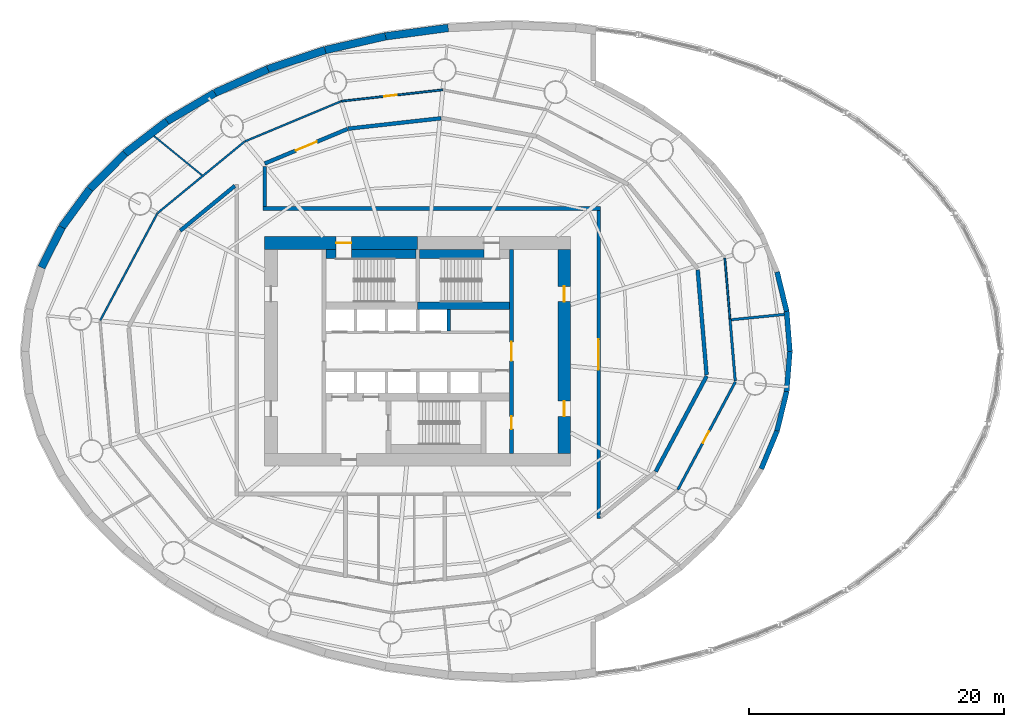
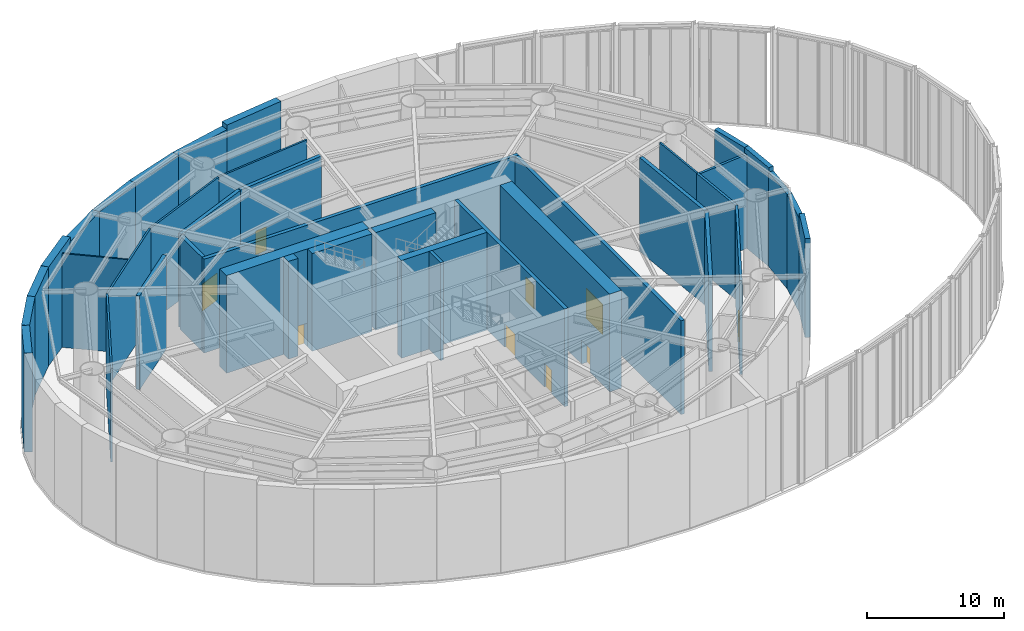
# One storey, part 16 of 19: 39 walls, 9 doors, 9 openings.
"""IFC4 building model written with IfcOpenShell, lengths in metres."""

from ifc_helpers import new_model, si_unit, direction, frame, frame_2d, origin, place, context, subcontext, project, spatial, rectangle, extrude, material, layer, layer_set, type_object, element, fill, save


model = new_model("IFC4")

# Units and contexts
model_context = context("Model", 3, precision=1e-05, world=origin(), true_north=direction((0.0, 1.0)))
body_context = subcontext(model_context, "Body", "Model", "MODEL_VIEW")
ifc_project = project(units=[si_unit("LENGTHUNIT", "METRE"), si_unit("AREAUNIT", "SQUARE_METRE"), si_unit("VOLUMEUNIT", "CUBIC_METRE"), si_unit("PLANEANGLEUNIT", "RADIAN"), si_unit("MASSUNIT", "GRAM", prefix="KILO")], contexts=[model_context])

# Site, building, storey
site_placement = place(None, origin())
site = spatial("IfcSite", under=ifc_project, at=site_placement, CompositionType="ELEMENT")
building_placement = place(site_placement, origin())
building = spatial("IfcBuilding", under=site, at=building_placement, Name="Vermilion Reach Broadcast Tower", CompositionType="ELEMENT")
storey_placement = place(building_placement, frame((0.0, 0.0, 8.0)))
storey = spatial("IfcBuildingStorey", under=building, at=storey_placement, Name="L01", CompositionType="ELEMENT", Elevation=8.0)

# Walls
ifc_material_1 = material(Name="Precast concrete C40/50 with acoustic cladding", Category="concrete")
ifc_layer_1 = layer(ifc_material_1, 0.39990234375)
ifc_layer_set_1 = layer_set([ifc_layer_1], Name="Atrium end wall 400")
wall_type_1 = type_object("IfcWallType", Name="Atrium end wall 400", PredefinedType="SOLIDWALL", material=ifc_layer_set_1)
wall_1_placement = place(storey_placement, frame((22.1982421875, 6.232421875, 0.0), z_axis=(0.0, 0.0, 1.0), x_axis=(0.235896812421, -0.97177810939, 0.0)))
element("IfcWall", 1, at=wall_1_placement, inside=storey, type_object=wall_type_1, Name="Podium wall L01 dru07", PredefinedType="SOLIDWALL", context=body_context, shape_type="SweptSolid", body=[
    extrude(rectangle(XDim=3.17822265625, YDim=0.39990234375, at=frame_2d((1.589111328125, 0.0))), origin(), (0.0, 0.0, 1.0), 8.800048828125),
])
wall_2_placement = place(storey_placement, frame((22.947998046875, 3.143798828125, 0.0), z_axis=(0.0, 0.0, 1.0), x_axis=(0.079732915346, -0.996816263015, 0.0)))
element("IfcWall", 2, at=wall_2_placement, inside=storey, type_object=wall_type_1, Name="Podium wall L01 dru08", PredefinedType="SOLIDWALL", context=body_context, shape_type="SweptSolid", body=[
    extrude(rectangle(XDim=3.15380859375, YDim=0.39990234375, at=frame_2d((1.576904296875, 0.0))), origin(), (0.0, 0.0, 1.0), 8.800048828125),
])
wall_3_placement = place(storey_placement, frame((22.1982421875, -6.232421875, 0.0), z_axis=(0.0, 0.0, 1.0), x_axis=(-0.382706172342, -0.923870112976, 0.0)))
element("IfcWall", 3, at=wall_3_placement, inside=storey, type_object=wall_type_1, Name="Podium wall L01 dru11", PredefinedType="SOLIDWALL", context=body_context, shape_type="SweptSolid", body=[
    extrude(rectangle(XDim=3.224853515625, YDim=0.39990234375, at=frame_2d((1.6123046875, 0.0))), origin(), (0.0, 0.0, 1.0), 8.800048828125),
])
ifc_material_2 = material(Name="Precast concrete C40/50 with acoustic cladding", Category="concrete")
ifc_layer_2 = layer(ifc_material_2, 0.39990234375)
ifc_layer_set_2 = layer_set([ifc_layer_2], Name="Atrium end wall 400, head 400 below soffit")
wall_type_2 = type_object("IfcWallType", Name="Atrium end wall 400, head 400 below soffit", PredefinedType="SOLIDWALL", material=ifc_layer_set_2)
wall_4_placement = place(storey_placement, frame((23.199462890625, 0.0, 0.0), z_axis=(0.0, 0.0, 1.0), x_axis=(-0.079732915346, -0.996816263015, 0.0)))
element("IfcWall", 4, at=wall_4_placement, inside=storey, type_object=wall_type_2, Name="Podium wall L01 dru09", PredefinedType="SOLIDWALL", context=body_context, shape_type="SweptSolid", body=[
    extrude(rectangle(XDim=3.15380859375, YDim=0.39990234375, at=frame_2d((1.576904296875, 0.0))), origin(), (0.0, 0.0, 1.0), 8.39990234375),
])
wall_5_placement = place(storey_placement, frame((22.947998046875, -3.143798828125, 0.0), z_axis=(0.0, 0.0, 1.0), x_axis=(-0.235896812421, -0.97177810939, 0.0)))
element("IfcWall", 5, at=wall_5_placement, inside=storey, type_object=wall_type_2, Name="Podium wall L01 dru10", PredefinedType="SOLIDWALL", context=body_context, shape_type="SweptSolid", body=[
    extrude(rectangle(XDim=3.17822265625, YDim=0.39990234375, at=frame_2d((1.589111328125, 0.0))), origin(), (0.0, 0.0, 1.0), 8.39990234375),
])

# Wall, openings, doors
ifc_material_3 = material(Name="Concrete C70", Category="concrete")
ifc_layer_3 = layer(ifc_material_3, 0.300048828125)
ifc_layer_set_3 = layer_set([ifc_layer_3], Name="Core inner wall 300 mm Concrete C70")
wall_type_3 = type_object("IfcWallType", Name="Core inner wall 300 mm Concrete C70", PredefinedType="SHEAR", material=ifc_layer_set_3)
wall_6_placement = place(storey_placement, frame((1.35009765625, -8.0, 0.0), z_axis=(0.0, 0.0, 1.0), x_axis=(0.0, 1.0, 0.0)))
wall_6 = element("IfcWall", 6, at=wall_6_placement, inside=storey, type_object=wall_type_3, Name="L01 core wall ewE", PredefinedType="SHEAR", context=body_context, shape_type="SweptSolid", body=[
    extrude(rectangle(XDim=16.0, YDim=0.300048828125, at=frame_2d((8.0, 0.0))), origin(), (0.0, 0.0, 1.0), 8.699951171875),
])
opening_1_placement = place(wall_6_placement, frame((1.909912109375, 0.0, 0.0)))
opening_1 = element("IfcOpeningElement", 7, at=opening_1_placement, cuts=wall_6, Name="Opening D05", PredefinedType="OPENING", context=body_context, shape_type="SweptSolid", body=[
    extrude(rectangle(XDim=1.0, YDim=2.10009765625, at=frame_2d((0.5, 1.050048828125))), frame((0.0, 0.159912109375, 0.0), z_axis=(0.0, -1.0, 0.0), x_axis=(1.0, 0.0, 0.0)), (0.0, 0.0, 1.0), 0.320068359375),
])
opening_2_placement = place(wall_6_placement, frame((7.25, 0.0, 0.0)))
opening_2 = element("IfcOpeningElement", 8, at=opening_2_placement, cuts=wall_6, Name="Opening D04", PredefinedType="OPENING", context=body_context, shape_type="SweptSolid", body=[
    extrude(rectangle(XDim=1.5, YDim=2.10009765625, at=frame_2d((0.75, 1.050048828125))), frame((0.0, 0.159912109375, 0.0), z_axis=(0.0, -1.0, 0.0), x_axis=(1.0, 0.0, 0.0)), (0.0, 0.0, 1.0), 0.320068359375),
])
ifc_material_4 = material(Name="Painted steel fire door", Category="steel")
door_type_1 = type_object("IfcDoorType", Name="Lift lobby door 1500 x 2100", OperationType="DOUBLE_DOOR_SINGLE_SWING", PredefinedType="NOTDEFINED", material=ifc_material_4)
door_1_placement = place(opening_2_placement, origin())
door_1 = element("IfcDoor", 9, at=door_1_placement, inside=storey, type_object=door_type_1, Name="L01 band door BE", OperationType="DOUBLE_DOOR_SINGLE_SWING", OverallHeight=2.10009765625, OverallWidth=1.5, PredefinedType="NOTDEFINED", context=body_context, shape_type="SweptSolid", body=[
    extrude(rectangle(XDim=1.5, YDim=2.10009765625, at=frame_2d((0.75, 1.050048828125))), frame((0.0, 0.02490234375, 0.0), z_axis=(0.0, -1.0, 0.0), x_axis=(1.0, 0.0, 0.0)), (0.0, 0.0, 1.0), 0.050048828125),
])
fill(opening_2, door_1)
ifc_material_5 = material(Name="Timber door", Category="wood")
door_type_2 = type_object("IfcDoorType", Name="Room door 1000 x 2100", OperationType="NOTDEFINED", PredefinedType="NOTDEFINED", material=ifc_material_5)
door_2_placement = place(opening_1_placement, origin())
door_2 = element("IfcDoor", 10, at=door_2_placement, inside=storey, type_object=door_type_2, Name="L01 door SER", OperationType="SINGLE_SWING_LEFT", OverallHeight=2.10009765625, OverallWidth=1.0, PredefinedType="NOTDEFINED", context=body_context, shape_type="SweptSolid", body=[
    extrude(rectangle(XDim=1.0, YDim=2.10009765625, at=frame_2d((0.5, 1.050048828125))), frame((0.0, 0.02490234375, 0.0), z_axis=(0.0, -1.0, 0.0), x_axis=(1.0, 0.0, 0.0)), (0.0, 0.0, 1.0), 0.050048828125),
])
fill(opening_1, door_2)

# Wall
ifc_material_6 = material(Name="Concrete C70", Category="concrete")
ifc_layer_4 = layer(ifc_material_6, 0.60009765625)
ifc_layer_set_4 = layer_set([ifc_layer_4], Name="Core inner wall 600 mm Concrete C70")
wall_type_4 = type_object("IfcWallType", Name="Core inner wall 600 mm Concrete C70", PredefinedType="SHEAR", material=ifc_layer_set_4)
wall_7_placement = place(storey_placement, frame((-6.0, 3.580078125, 0.0), z_axis=(0.0, 0.0, 1.0), x_axis=(1.0, 0.0, 0.0)))
element("IfcWall", 11, at=wall_7_placement, inside=storey, type_object=wall_type_4, Name="L01 core wall winE", PredefinedType="SHEAR", context=body_context, shape_type="SweptSolid", body=[
    extrude(rectangle(XDim=7.199951171875, YDim=0.60009765625, at=frame_2d((3.60009765625, 0.0))), origin(), (0.0, 0.0, 1.0), 8.699951171875),
])

# Wall, opening, door
ifc_material_7 = material(Name="Concrete C70", Category="concrete")
ifc_layer_5 = layer(ifc_material_7, 1.0)
ifc_layer_set_5 = layer_set([ifc_layer_5], Name="Core outer wall 1000 mm Concrete C70")
wall_type_5 = type_object("IfcWallType", Name="Core outer wall 1000 mm Concrete C70", PredefinedType="SHEAR", material=ifc_layer_set_5)
wall_8_placement = place(storey_placement, frame((-6.0, 8.5, 0.0), z_axis=(0.0, 0.0, 1.0), x_axis=(-1.0, 0.0, 0.0)))
wall_8 = element("IfcWall", 12, at=wall_8_placement, inside=storey, type_object=wall_type_5, Name="L01 core wall onW", PredefinedType="SHEAR", context=body_context, shape_type="SweptSolid", body=[
    extrude(rectangle(XDim=12.0, YDim=1.0, at=frame_2d((6.0, 0.0))), origin(), (0.0, 0.0, 1.0), 8.699951171875),
])
opening_3_placement = place(wall_8_placement, frame((5.199951171875, 0.0, 0.0)))
opening_3 = element("IfcOpeningElement", 13, at=opening_3_placement, cuts=wall_8, Name="Opening D01", PredefinedType="OPENING", context=body_context, shape_type="SweptSolid", body=[
    extrude(rectangle(XDim=1.199951171875, YDim=2.10009765625, at=frame_2d((0.60009765625, 1.050048828125))), frame((0.0, 0.510009765625, 0.0), z_axis=(0.0, -1.0, 0.0), x_axis=(1.0, 0.0, 0.0)), (0.0, 0.0, 1.0), 1.02001953125),
])
ifc_material_8 = material(Name="Painted steel fire door", Category="steel")
door_type_3 = type_object("IfcDoorType", Name="Stair door 1200 x 2100", OperationType="DOUBLE_DOOR_SINGLE_SWING", PredefinedType="NOTDEFINED", material=ifc_material_8)
door_3_placement = place(opening_3_placement, origin())
door_3 = element("IfcDoor", 14, at=door_3_placement, inside=storey, type_object=door_type_3, Name="L01 stair door ST1", OperationType="DOUBLE_DOOR_SINGLE_SWING", OverallHeight=2.10009765625, OverallWidth=1.199951171875, PredefinedType="NOTDEFINED", context=body_context, shape_type="SweptSolid", body=[
    extrude(rectangle(XDim=1.199951171875, YDim=2.10009765625, at=frame_2d((0.60009765625, 1.050048828125))), frame((0.0, 0.02490234375, 0.0), z_axis=(0.0, -1.0, 0.0), x_axis=(1.0, 0.0, 0.0)), (0.0, 0.0, 1.0), 0.050048828125),
])
fill(opening_3, door_3)

# Wall, openings, doors
wall_9_placement = place(storey_placement, frame((5.5, -8.0, 0.0), z_axis=(0.0, 0.0, 1.0), x_axis=(0.0, 1.0, 0.0)))
wall_9 = element("IfcWall", 15, at=wall_9_placement, inside=storey, type_object=wall_type_5, Name="L01 core wall oe", PredefinedType="SHEAR", context=body_context, shape_type="SweptSolid", body=[
    extrude(rectangle(XDim=16.0, YDim=1.0, at=frame_2d((8.0, 0.0))), origin(), (0.0, 0.0, 1.0), 8.699951171875),
])
opening_4_placement = place(wall_9_placement, frame((2.89990234375, 0.0, 0.0)))
opening_4 = element("IfcOpeningElement", 16, at=opening_4_placement, cuts=wall_9, Name="Opening D03", PredefinedType="OPENING", context=body_context, shape_type="SweptSolid", body=[
    extrude(rectangle(XDim=1.199951171875, YDim=2.10009765625, at=frame_2d((0.60009765625, 1.050048828125))), frame((0.0, 0.510009765625, 0.0), z_axis=(0.0, -1.0, 0.0), x_axis=(1.0, 0.0, 0.0)), (0.0, 0.0, 1.0), 1.02001953125),
])
opening_5_placement = place(wall_9_placement, frame((11.89990234375, 0.0, 0.0)))
opening_5 = element("IfcOpeningElement", 17, at=opening_5_placement, cuts=wall_9, Name="Opening D03", PredefinedType="OPENING", context=body_context, shape_type="SweptSolid", body=[
    extrude(rectangle(XDim=1.199951171875, YDim=2.10009765625, at=frame_2d((0.60009765625, 1.050048828125))), frame((0.0, 0.510009765625, 0.0), z_axis=(0.0, -1.0, 0.0), x_axis=(1.0, 0.0, 0.0)), (0.0, 0.0, 1.0), 1.02001953125),
])
ifc_material_9 = material(Name="Painted steel fire door", Category="steel")
door_type_4 = type_object("IfcDoorType", Name="Core lobby door 1200 x 2100", OperationType="DOUBLE_DOOR_SINGLE_SWING", PredefinedType="NOTDEFINED", material=ifc_material_9)
door_4_placement = place(opening_4_placement, origin())
door_4 = element("IfcDoor", 18, at=door_4_placement, inside=storey, type_object=door_type_4, Name="L01 slot door E0", OperationType="DOUBLE_DOOR_SINGLE_SWING", OverallHeight=2.10009765625, OverallWidth=1.199951171875, PredefinedType="NOTDEFINED", context=body_context, shape_type="SweptSolid", body=[
    extrude(rectangle(XDim=1.199951171875, YDim=2.10009765625, at=frame_2d((0.60009765625, 1.050048828125))), frame((0.0, 0.02490234375, 0.0), z_axis=(0.0, -1.0, 0.0), x_axis=(1.0, 0.0, 0.0)), (0.0, 0.0, 1.0), 0.050048828125),
])
fill(opening_4, door_4)
door_5_placement = place(opening_5_placement, origin())
door_5 = element("IfcDoor", 19, at=door_5_placement, inside=storey, type_object=door_type_4, Name="L01 slot door E1", OperationType="DOUBLE_DOOR_SINGLE_SWING", OverallHeight=2.10009765625, OverallWidth=1.199951171875, PredefinedType="NOTDEFINED", context=body_context, shape_type="SweptSolid", body=[
    extrude(rectangle(XDim=1.199951171875, YDim=2.10009765625, at=frame_2d((0.60009765625, 1.050048828125))), frame((0.0, 0.02490234375, 0.0), z_axis=(0.0, -1.0, 0.0), x_axis=(1.0, 0.0, 0.0)), (0.0, 0.0, 1.0), 0.050048828125),
])
fill(opening_5, door_5)

# Walls
ifc_material_10 = material(Name="Concrete C50", Category="concrete")
ifc_layer_6 = layer(ifc_material_10, 0.25)
ifc_layer_set_6 = layer_set([ifc_layer_6], Name="Core shaft wall 250 mm Concrete C50")
wall_type_6 = type_object("IfcWallType", Name="Core shaft wall 250 mm Concrete C50", PredefinedType="SHEAR", material=ifc_layer_set_6)
wall_10_placement = place(storey_placement, frame((-3.558349609375, 1.60009765625, 0.0), z_axis=(0.0, 0.0, 1.0), x_axis=(0.0, 1.0, 0.0)))
element("IfcWall", 20, at=wall_10_placement, inside=storey, type_object=wall_type_6, Name="L01 core wall psN3", PredefinedType="SHEAR", context=body_context, shape_type="SweptSolid", body=[
    extrude(rectangle(XDim=1.679931640625, YDim=0.25, at=frame_2d((0.83984375, 0.0))), origin(), (0.0, 0.0, 1.0), 8.699951171875),
])
ifc_material_11 = material(Name="Concrete C70", Category="concrete")
ifc_layer_7 = layer(ifc_material_11, 0.699951171875)
ifc_layer_set_7 = layer_set([ifc_layer_7], Name="Core stair wall 700 mm Concrete C70")
wall_type_7 = type_object("IfcWallType", Name="Core stair wall 700 mm Concrete C70", PredefinedType="SHEAR", material=ifc_layer_set_7)
wall_11_placement = place(storey_placement, frame((-13.199951171875, 7.64990234375, 0.0), z_axis=(0.0, 0.0, 1.0), x_axis=(1.0, 0.0, 0.0)))
element("IfcWall", 21, at=wall_11_placement, inside=storey, type_object=wall_type_7, Name="L01 core wall l1a", PredefinedType="SHEAR", context=body_context, shape_type="SweptSolid", body=[
    extrude(rectangle(XDim=0.800048828125, YDim=0.699951171875, at=frame_2d((0.39990234375, 0.0))), origin(), (0.0, 0.0, 1.0), 8.699951171875),
])
for number, where, z_axis, x_axis, name in (
    (22, (-11.199951171875, 7.64990234375, 0.0), (0.0, 0.0, 1.0), (1.0, 0.0, 0.0), "L01 core wall l1b"),
    (23, (-5.85009765625, 7.64990234375, 0.0), (0.0, 0.0, 1.0), (1.0, 0.0, 0.0), "L01 core wall l2a"),
):
    element("IfcWall", number, at=place(storey_placement, frame(where, z_axis=z_axis, x_axis=x_axis)), inside=storey, type_object=wall_type_7, Name=name, PredefinedType="SHEAR", context=body_context, shape_type="SweptSolid", body=[
        extrude(rectangle(XDim=5.050048828125, YDim=0.699951171875, at=frame_2d((2.52490234375, 0.0))), origin(), (0.0, 0.0, 1.0), 8.699951171875),
    ])
ifc_material_12 = material(Name="Gypsum board partition")
ifc_layer_8 = layer(ifc_material_12, 0.14990234375)
ifc_layer_set_8 = layer_set([ifc_layer_8], Name="Corridor wall 150")
wall_type_8 = type_object("IfcWallType", Name="Corridor wall 150", PredefinedType="PARTITIONING", material=ifc_layer_set_8)
wall_12_placement = place(storey_placement, frame((18.09765625, 7.319091796875, 0.0), z_axis=(0.0, 0.0, 1.0), x_axis=(0.084470678546, -0.996425965371, 0.0)))
element("IfcWall", 24, at=wall_12_placement, inside=storey, type_object=wall_type_8, Name="sp.wall.L01.031", PredefinedType="PARTITIONING", context=body_context, shape_type="SweptSolid", body=[
    extrude(rectangle(XDim=4.76318359375, YDim=0.14990234375, at=frame_2d((2.381591796875, 0.0))), origin(), (0.0, 0.0, 1.0), 8.35009765625),
])

# Wall, opening, door
wall_13_placement = place(storey_placement, frame((-4.05078125, 20.518310546875, 0.0), z_axis=(0.0, 0.0, 1.0), x_axis=(-0.993764533241, -0.11149911422, 0.0)))
wall_13 = element("IfcWall", 25, at=wall_13_placement, inside=storey, type_object=wall_type_8, Name="sp.wall.L01.036", PredefinedType="PARTITIONING", context=body_context, shape_type="SweptSolid", body=[
    extrude(rectangle(XDim=7.981201171875, YDim=0.14990234375, at=frame_2d((3.99072265625, 0.0))), origin(), (0.0, 0.0, 1.0), 8.35009765625),
])
opening_6_placement = place(wall_13_placement, frame((3.6162109375, 0.0, 0.0)))
opening_6 = element("IfcOpeningElement", 26, at=opening_6_placement, cuts=wall_13, Name="Opening D50", PredefinedType="OPENING", context=body_context, shape_type="SweptSolid", body=[
    extrude(rectangle(XDim=1.0, YDim=2.10009765625, at=frame_2d((0.5, 1.050048828125))), frame((0.0, 0.0849609375, 0.0), z_axis=(0.0, -1.0, 0.0), x_axis=(1.0, 0.0, 0.0)), (0.0, 0.0, 1.0), 0.169921875),
])
ifc_material_13 = material(Name="Timber and steel door set", Category="steel")
door_type_5 = type_object("IfcDoorType", Name="Door 1000x2100", OperationType="NOTDEFINED", PredefinedType="DOOR", material=ifc_material_13)
door_6_placement = place(opening_6_placement, origin())
door_6 = element("IfcDoor", 27, at=door_6_placement, inside=storey, type_object=door_type_5, Name="sp.door.L01.007", OperationType="SINGLE_SWING_RIGHT", OverallHeight=2.10009765625, OverallWidth=1.0, PredefinedType="DOOR", context=body_context, shape_type="SweptSolid", body=[
    extrude(rectangle(XDim=1.0, YDim=2.10009765625, at=frame_2d((0.5, 1.050048828125))), frame((0.0, 0.02490234375, 0.0), z_axis=(0.0, -1.0, 0.0), x_axis=(1.0, 0.0, 0.0)), (0.0, 0.0, 1.0), 0.050048828125),
])
fill(opening_6, door_6)

# Walls
wall_14_placement = place(storey_placement, frame((-19.556396484375, 16.47314453125, 0.0), z_axis=(0.0, 0.0, 1.0), x_axis=(0.922818121352, 0.385235921097, 0.0)))
element("IfcWall", 28, at=wall_14_placement, inside=storey, type_object=wall_type_8, Name="sp.wall.L01.037", PredefinedType="PARTITIONING", context=body_context, shape_type="SweptSolid", body=[
    extrude(rectangle(XDim=8.18408203125, YDim=0.14990234375, at=frame_2d((4.092041015625, 0.0))), origin(), (0.0, 0.0, 1.0), 8.35009765625),
])
wall_15_placement = place(storey_placement, frame((-26.38720703125, 10.867919921875, 0.0), z_axis=(0.0, 0.0, 1.0), x_axis=(0.772575830308, 0.634922504266, 0.0)))
element("IfcWall", 29, at=wall_15_placement, inside=storey, type_object=wall_type_8, Name="sp.wall.L01.038", PredefinedType="PARTITIONING", context=body_context, shape_type="SweptSolid", body=[
    extrude(rectangle(XDim=8.814697265625, YDim=0.14990234375, at=frame_2d((4.4072265625, 0.0))), origin(), (0.0, 0.0, 1.0), 8.35009765625),
])
wall_16_placement = place(storey_placement, frame((-30.8984375, 2.43798828125, 0.0), z_axis=(0.0, 0.0, 1.0), x_axis=(0.470742429837, 0.88227068678, 0.0)))
element("IfcWall", 30, at=wall_16_placement, inside=storey, type_object=wall_type_8, Name="sp.wall.L01.040", PredefinedType="PARTITIONING", context=body_context, shape_type="SweptSolid", body=[
    extrude(rectangle(XDim=9.532470703125, YDim=0.14990234375, at=frame_2d((4.76611328125, 0.0))), origin(), (0.0, 0.0, 1.0), 8.35009765625),
])
ifc_material_14 = material(Name="Gypsum board partition")
ifc_layer_9 = layer(ifc_material_14, 0.125)
ifc_layer_set_9 = layer_set([ifc_layer_9], Name="Partition 125 plasterboard")
wall_type_9 = type_object("IfcWallType", Name="Partition 125 plasterboard", PredefinedType="PARTITIONING", material=ifc_layer_set_9)
wall_17_placement = place(storey_placement, frame((-26.6865234375, 16.8955078125, 0.0), z_axis=(0.0, 0.0, 1.0), x_axis=(0.774499274472, -0.632574797033, 0.0)))
element("IfcWall", 31, at=wall_17_placement, inside=storey, type_object=wall_type_9, Name="sp.wall.L01.035", PredefinedType="PARTITIONING", context=body_context, shape_type="SweptSolid", body=[
    extrude(rectangle(XDim=4.8544921875, YDim=0.125, at=frame_2d((2.42724609375, 0.0))), origin(), (0.0, 0.0, 1.0), 8.35009765625),
])
ifc_material_15 = material(Name="Gypsum board shaft wall")
ifc_layer_10 = layer(ifc_material_15, 0.199951171875)
ifc_layer_set_10 = layer_set([ifc_layer_10], Name="Plant room wall 200")
wall_type_10 = type_object("IfcWallType", Name="Plant room wall 200", PredefinedType="PARTITIONING", material=ifc_layer_set_10)
wall_18_placement = place(storey_placement, frame((18.609619140625, 2.482421875, 0.0), z_axis=(0.0, 0.0, 1.0), x_axis=(0.994954113111, 0.100331016163, 0.0)))
element("IfcWall", 32, at=wall_18_placement, inside=storey, type_object=wall_type_10, Name="sp.wall.L01.030", PredefinedType="PARTITIONING", context=body_context, shape_type="SweptSolid", body=[
    extrude(rectangle(XDim=4.177978515625, YDim=0.199951171875, at=frame_2d((2.0888671875, 0.0))), origin(), (0.0, 0.0, 1.0), 8.35009765625),
])

# Wall, opening, door
wall_19_placement = place(storey_placement, frame((14.4111328125, -10.84814453125, 0.0), z_axis=(0.0, 0.0, 1.0), x_axis=(0.47073503873, 0.882274630323, 0.0)))
wall_19 = element("IfcWall", 33, at=wall_19_placement, inside=storey, type_object=wall_type_10, Name="sp.wall.L01.051", PredefinedType="PARTITIONING", context=body_context, shape_type="SweptSolid", body=[
    extrude(rectangle(XDim=9.580810546875, YDim=0.199951171875, at=frame_2d((4.79052734375, 0.0))), origin(), (0.0, 0.0, 1.0), 8.35009765625),
])
opening_7_placement = place(wall_19_placement, frame((4.16357421875, 0.0, 0.0)))
opening_7 = element("IfcOpeningElement", 34, at=opening_7_placement, cuts=wall_19, Name="Opening D54", PredefinedType="OPENING", context=body_context, shape_type="SweptSolid", body=[
    extrude(rectangle(XDim=1.0, YDim=2.10009765625, at=frame_2d((0.5, 1.050048828125))), frame((0.0, 0.10986328125, 0.0), z_axis=(0.0, -1.0, 0.0), x_axis=(1.0, 0.0, 0.0)), (0.0, 0.0, 1.0), 0.219970703125),
])
ifc_material_16 = material(Name="Timber and steel door set", Category="steel")
door_type_6 = type_object("IfcDoorType", Name="Fire door 1000x2100", OperationType="NOTDEFINED", PredefinedType="DOOR", material=ifc_material_16)
door_7_placement = place(opening_7_placement, origin())
door_7 = element("IfcDoor", 35, at=door_7_placement, inside=storey, type_object=door_type_6, Name="sp.door.L01.011", OperationType="SINGLE_SWING_LEFT", OverallHeight=2.10009765625, OverallWidth=1.0, PredefinedType="DOOR", context=body_context, shape_type="SweptSolid", body=[
    extrude(rectangle(XDim=1.0, YDim=2.10009765625, at=frame_2d((0.5, 1.050048828125))), frame((0.0, 0.02490234375, 0.0), z_axis=(0.0, -1.0, 0.0), x_axis=(1.0, 0.0, 0.0)), (0.0, 0.0, 1.0), 0.050048828125),
])
fill(opening_7, door_7)

# Walls
wall_20_placement = place(storey_placement, frame((18.5, 2.57177734375, 0.0), z_axis=(0.0, 0.0, 1.0), x_axis=(0.084503198211, -0.996423208026, 0.0)))
element("IfcWall", 36, at=wall_20_placement, inside=storey, type_object=wall_type_10, Name="sp.wall.L01.052", PredefinedType="PARTITIONING", context=body_context, shape_type="SweptSolid", body=[
    extrude(rectangle(XDim=4.920166015625, YDim=0.199951171875, at=frame_2d((2.4599609375, 0.0))), origin(), (0.0, 0.0, 1.0), 8.35009765625),
])
ifc_material_17 = material(Name="Precast concrete C40/50 with acoustic cladding", Category="concrete")
ifc_layer_11 = layer(ifc_material_17, 0.60009765625)
ifc_layer_set_11 = layer_set([ifc_layer_11], Name="Podium acoustic wall 600")
wall_type_11 = type_object("IfcWallType", Name="Podium acoustic wall 600", PredefinedType="SOLIDWALL", material=ifc_layer_set_11)
wall_21_placement = place(storey_placement, frame((-3.60302734375, 25.379150390625, 0.0), z_axis=(0.0, 0.0, 1.0), x_axis=(-0.991143444913, -0.132795600853, 0.0)))
element("IfcWall", 37, at=wall_21_placement, inside=storey, type_object=wall_type_11, Name="Podium wall L01 str03", PredefinedType="SOLIDWALL", context=body_context, shape_type="SweptSolid", body=[
    extrude(rectangle(XDim=4.960205078125, YDim=0.60009765625, at=frame_2d((2.47998046875, 0.0))), origin(), (0.0, 0.0, 1.0), 8.800048828125),
])
wall_22_placement = place(storey_placement, frame((-25.6708984375, 18.052978515625, 0.0), z_axis=(0.0, 0.0, 1.0), x_axis=(-0.793065901338, -0.609135843745, 0.0)))
element("IfcWall", 38, at=wall_22_placement, inside=storey, type_object=wall_type_11, Name="Podium wall L01 str08", PredefinedType="SOLIDWALL", context=body_context, shape_type="SweptSolid", body=[
    extrude(rectangle(XDim=4.146728515625, YDim=0.60009765625, at=frame_2d((2.0732421875, 0.0))), origin(), (0.0, 0.0, 1.0), 8.800048828125),
])
wall_23_placement = place(storey_placement, frame((-28.95947265625, 15.527099609375, 0.0), z_axis=(0.0, 0.0, 1.0), x_axis=(-0.704303183564, -0.709899306678, 0.0)))
element("IfcWall", 39, at=wall_23_placement, inside=storey, type_object=wall_type_11, Name="Podium wall L01 str09", PredefinedType="SOLIDWALL", context=body_context, shape_type="SweptSolid", body=[
    extrude(rectangle(XDim=3.926513671875, YDim=0.60009765625, at=frame_2d((1.96337890625, 0.0))), origin(), (0.0, 0.0, 1.0), 8.800048828125),
])
wall_24_placement = place(storey_placement, frame((-31.724853515625, 12.73974609375, 0.0), z_axis=(0.0, 0.0, 1.0), x_axis=(-0.59073426953, -0.806866174035, 0.0)))
element("IfcWall", 40, at=wall_24_placement, inside=storey, type_object=wall_type_11, Name="Podium wall L01 str10", PredefinedType="SOLIDWALL", context=body_context, shape_type="SweptSolid", body=[
    extrude(rectangle(XDim=3.717529296875, YDim=0.60009765625, at=frame_2d((1.85888671875, 0.0))), origin(), (0.0, 0.0, 1.0), 8.800048828125),
])
wall_25_placement = place(storey_placement, frame((-33.9208984375, 9.740234375, 0.0), z_axis=(0.0, 0.0, 1.0), x_axis=(-0.450137579264, -0.892959215045, 0.0)))
element("IfcWall", 41, at=wall_25_placement, inside=storey, type_object=wall_type_11, Name="Podium wall L01 str11", PredefinedType="SOLIDWALL", context=body_context, shape_type="SweptSolid", body=[
    extrude(rectangle(XDim=3.537353515625, YDim=0.60009765625, at=frame_2d((1.7685546875, 0.0))), origin(), (0.0, 0.0, 1.0), 8.800048828125),
])
ifc_material_18 = material(Name="Precast concrete C40/50 with acoustic cladding", Category="concrete")
ifc_layer_12 = layer(ifc_material_18, 0.60009765625)
ifc_layer_set_12 = layer_set([ifc_layer_12], Name="Podium acoustic wall 600, head 400 below soffit")
wall_type_12 = type_object("IfcWallType", Name="Podium acoustic wall 600, head 400 below soffit", PredefinedType="SOLIDWALL", material=ifc_layer_set_12)
wall_26_placement = place(storey_placement, frame((-8.519287109375, 24.720458984375, 0.0), z_axis=(0.0, 0.0, 1.0), x_axis=(-0.97483982486, -0.222906518224, 0.0)))
element("IfcWall", 42, at=wall_26_placement, inside=storey, type_object=wall_type_12, Name="Podium wall L01 str04", PredefinedType="SOLIDWALL", context=body_context, shape_type="SweptSolid", body=[
    extrude(rectangle(XDim=4.867431640625, YDim=0.60009765625, at=frame_2d((2.43359375, 0.0))), origin(), (0.0, 0.0, 1.0), 8.39990234375),
])
wall_27_placement = place(storey_placement, frame((-13.26416015625, 23.635498046875, 0.0), z_axis=(0.0, 0.0, 1.0), x_axis=(-0.94901810672, -0.315221561949, 0.0)))
element("IfcWall", 43, at=wall_27_placement, inside=storey, type_object=wall_type_12, Name="Podium wall L01 str05", PredefinedType="SOLIDWALL", context=body_context, shape_type="SweptSolid", body=[
    extrude(rectangle(XDim=4.732177734375, YDim=0.60009765625, at=frame_2d((2.3662109375, 0.0))), origin(), (0.0, 0.0, 1.0), 8.39990234375),
])
wall_28_placement = place(storey_placement, frame((-17.755126953125, 22.143798828125, 0.0), z_axis=(0.0, 0.0, 1.0), x_axis=(-0.911894462824, -0.410424766152, 0.0)))
element("IfcWall", 44, at=wall_28_placement, inside=storey, type_object=wall_type_12, Name="Podium wall L01 str06", PredefinedType="SOLIDWALL", context=body_context, shape_type="SweptSolid", body=[
    extrude(rectangle(XDim=4.561279296875, YDim=0.60009765625, at=frame_2d((2.28076171875, 0.0))), origin(), (0.0, 0.0, 1.0), 8.39990234375),
])
wall_29_placement = place(storey_placement, frame((-21.91455078125, 20.271728515625, 0.0), z_axis=(0.0, 0.0, 1.0), x_axis=(-0.861017868942, -0.508574703818, 0.0)))
element("IfcWall", 45, at=wall_29_placement, inside=storey, type_object=wall_type_12, Name="Podium wall L01 str07", PredefinedType="SOLIDWALL", context=body_context, shape_type="SweptSolid", body=[
    extrude(rectangle(XDim=4.36279296875, YDim=0.60009765625, at=frame_2d((2.181396484375, 0.0))), origin(), (0.0, 0.0, 1.0), 8.39990234375),
])
ifc_material_19 = material(Name="Gypsum board double-leaf partition")
ifc_layer_13 = layer(ifc_material_19, 0.300048828125)
ifc_layer_set_13 = layer_set([ifc_layer_13], Name="Studio acoustic wall 300")
wall_type_13 = type_object("IfcWallType", Name="Studio acoustic wall 300", PredefinedType="PARTITIONING", material=ifc_layer_set_13)
wall_30_placement = place(storey_placement, frame((-18.150146484375, 11.199951171875, 0.0), z_axis=(0.0, 0.0, 1.0), x_axis=(1.0, 0.0, 0.0)))
element("IfcWall", 46, at=wall_30_placement, inside=storey, type_object=wall_type_13, Name="sp.wall.L01.000", PredefinedType="PARTITIONING", context=body_context, shape_type="SweptSolid", body=[
    extrude(rectangle(XDim=26.500244140625, YDim=0.300048828125, at=frame_2d((13.25, 0.0))), origin(), (0.0, 0.0, 1.0), 8.35009765625),
])

# Wall, opening, door
wall_31_placement = place(storey_placement, frame((8.199951171875, -13.10498046875, 0.0), z_axis=(0.0, 0.0, 1.0), x_axis=(0.0, 1.0, 0.0)))
wall_31 = element("IfcWall", 47, at=wall_31_placement, inside=storey, type_object=wall_type_13, Name="sp.wall.L01.001", PredefinedType="PARTITIONING", context=body_context, shape_type="SweptSolid", body=[
    extrude(rectangle(XDim=24.155029296875, YDim=0.300048828125, at=frame_2d((12.07763671875, 0.0))), origin(), (0.0, 0.0, 1.0), 8.35009765625),
])
opening_8_placement = place(wall_31_placement, frame((11.655029296875, 0.0, 0.0)))
opening_8 = element("IfcOpeningElement", 48, at=opening_8_placement, cuts=wall_31, Name="Opening D58", PredefinedType="OPENING", context=body_context, shape_type="SweptSolid", body=[
    extrude(rectangle(XDim=2.39990234375, YDim=2.699951171875, at=frame_2d((1.199951171875, 1.35009765625))), frame((0.0, 0.159912109375, 0.0), z_axis=(0.0, -1.0, 0.0), x_axis=(1.0, 0.0, 0.0)), (0.0, 0.0, 1.0), 0.320068359375),
])
ifc_material_20 = material(Name="Timber and steel door set", Category="steel")
door_type_7 = type_object("IfcDoorType", Name="Scenery door 2400x2700", OperationType="NOTDEFINED", PredefinedType="DOOR", material=ifc_material_20)
door_8_placement = place(opening_8_placement, origin())
door_8 = element("IfcDoor", 49, at=door_8_placement, inside=storey, type_object=door_type_7, Name="sp.door.L01.012", OperationType="DOUBLE_DOOR_SINGLE_SWING", OverallHeight=2.699951171875, OverallWidth=2.39990234375, PredefinedType="DOOR", context=body_context, shape_type="SweptSolid", body=[
    extrude(rectangle(XDim=2.39990234375, YDim=2.699951171875, at=frame_2d((1.199951171875, 1.35009765625))), frame((0.0, 0.02490234375, 0.0), z_axis=(0.0, -1.0, 0.0), x_axis=(1.0, 0.0, 0.0)), (0.0, 0.0, 1.0), 0.050048828125),
])
fill(opening_8, door_8)

# Wall
wall_32_placement = place(storey_placement, frame((-18.0, 11.35009765625, 0.0), z_axis=(0.0, 0.0, 1.0), x_axis=(0.0, 1.0, 0.0)))
element("IfcWall", 50, at=wall_32_placement, inside=storey, type_object=wall_type_13, Name="sp.wall.L01.006", PredefinedType="PARTITIONING", context=body_context, shape_type="SweptSolid", body=[
    extrude(rectangle(XDim=3.16357421875, YDim=0.300048828125, at=frame_2d((1.581787109375, 0.0))), origin(), (0.0, 0.0, 1.0), 8.35009765625),
])

# Wall, opening, door
wall_33_placement = place(storey_placement, frame((-11.48681640625, 17.457763671875, 0.0), z_axis=(0.0, 0.0, 1.0), x_axis=(-0.922816768599, -0.385239161552, 0.0)))
wall_33 = element("IfcWall", 51, at=wall_33_placement, inside=storey, type_object=wall_type_13, Name="sp.wall.L01.007", PredefinedType="PARTITIONING", context=body_context, shape_type="SweptSolid", body=[
    extrude(rectangle(XDim=7.057861328125, YDim=0.300048828125, at=frame_2d((3.52880859375, 0.0))), origin(), (0.0, 0.0, 1.0), 8.35009765625),
])
opening_9_placement = place(wall_33_placement, frame((2.62890625, 0.0, 0.0)))
opening_9 = element("IfcOpeningElement", 52, at=opening_9_placement, cuts=wall_33, Name="Opening D52", PredefinedType="OPENING", context=body_context, shape_type="SweptSolid", body=[
    extrude(rectangle(XDim=1.800048828125, YDim=2.39990234375, at=frame_2d((0.89990234375, 1.199951171875))), frame((0.0, 0.159912109375, 0.0), z_axis=(0.0, -1.0, 0.0), x_axis=(1.0, 0.0, 0.0)), (0.0, 0.0, 1.0), 0.320068359375),
])
ifc_material_21 = material(Name="Timber and steel door set", Category="steel")
door_type_8 = type_object("IfcDoorType", Name="Studio sound lock door 1800x2400", OperationType="NOTDEFINED", PredefinedType="DOOR", material=ifc_material_21)
door_9_placement = place(opening_9_placement, origin())
door_9 = element("IfcDoor", 53, at=door_9_placement, inside=storey, type_object=door_type_8, Name="sp.door.L01.000", OperationType="DOUBLE_DOOR_SINGLE_SWING", OverallHeight=2.39990234375, OverallWidth=1.800048828125, PredefinedType="DOOR", context=body_context, shape_type="SweptSolid", body=[
    extrude(rectangle(XDim=1.800048828125, YDim=2.39990234375, at=frame_2d((0.89990234375, 1.199951171875))), frame((0.0, 0.02490234375, 0.0), z_axis=(0.0, -1.0, 0.0), x_axis=(1.0, 0.0, 0.0)), (0.0, 0.0, 1.0), 0.050048828125),
])
fill(opening_9, door_9)

# Walls
wall_34_placement = place(storey_placement, frame((-11.446533203125, 17.474609375, 0.0), z_axis=(0.0, 0.0, 1.0), x_axis=(0.993760088273, 0.111538724016, 0.0)))
element("IfcWall", 54, at=wall_34_placement, inside=storey, type_object=wall_type_13, Name="sp.wall.L01.008", PredefinedType="PARTITIONING", context=body_context, shape_type="SweptSolid", body=[
    extrude(rectangle(XDim=7.33251953125, YDim=0.300048828125, at=frame_2d((3.666259765625, 0.0))), origin(), (0.0, 0.0, 1.0), 8.35009765625),
])
wall_35_placement = place(storey_placement, frame((15.967529296875, 6.3994140625, 0.0), z_axis=(0.0, 0.0, 1.0), x_axis=(0.084507198304, -0.996422868784, 0.0)))
element("IfcWall", 55, at=wall_35_placement, inside=storey, type_object=wall_type_13, Name="sp.wall.L01.012", PredefinedType="PARTITIONING", context=body_context, shape_type="SweptSolid", body=[
    extrude(rectangle(XDim=8.265380859375, YDim=0.300048828125, at=frame_2d((4.1328125, 0.0))), origin(), (0.0, 0.0, 1.0), 8.35009765625),
])
wall_36_placement = place(storey_placement, frame((12.676025390625, -9.426513671875, 0.0), z_axis=(0.0, 0.0, 1.0), x_axis=(0.470743396375, 0.882270171076, 0.0)))
element("IfcWall", 56, at=wall_36_placement, inside=storey, type_object=wall_type_13, Name="sp.wall.L01.013", PredefinedType="PARTITIONING", context=body_context, shape_type="SweptSolid", body=[
    extrude(rectangle(XDim=8.4931640625, YDim=0.300048828125, at=frame_2d((4.24658203125, 0.0))), origin(), (0.0, 0.0, 1.0), 8.35009765625),
])
wall_37_placement = place(storey_placement, frame((-24.628173828125, 9.4658203125, 0.0), z_axis=(0.0, 0.0, 1.0), x_axis=(0.772581343642, 0.634915795564, 0.0)))
element("IfcWall", 57, at=wall_37_placement, inside=storey, type_object=wall_type_13, Name="sp.wall.L01.020", PredefinedType="PARTITIONING", context=body_context, shape_type="SweptSolid", body=[
    extrude(rectangle(XDim=5.549072265625, YDim=0.300048828125, at=frame_2d((2.7744140625, 0.0))), origin(), (0.0, 0.0, 1.0), 8.35009765625),
])

save(model, "model.ifc")
